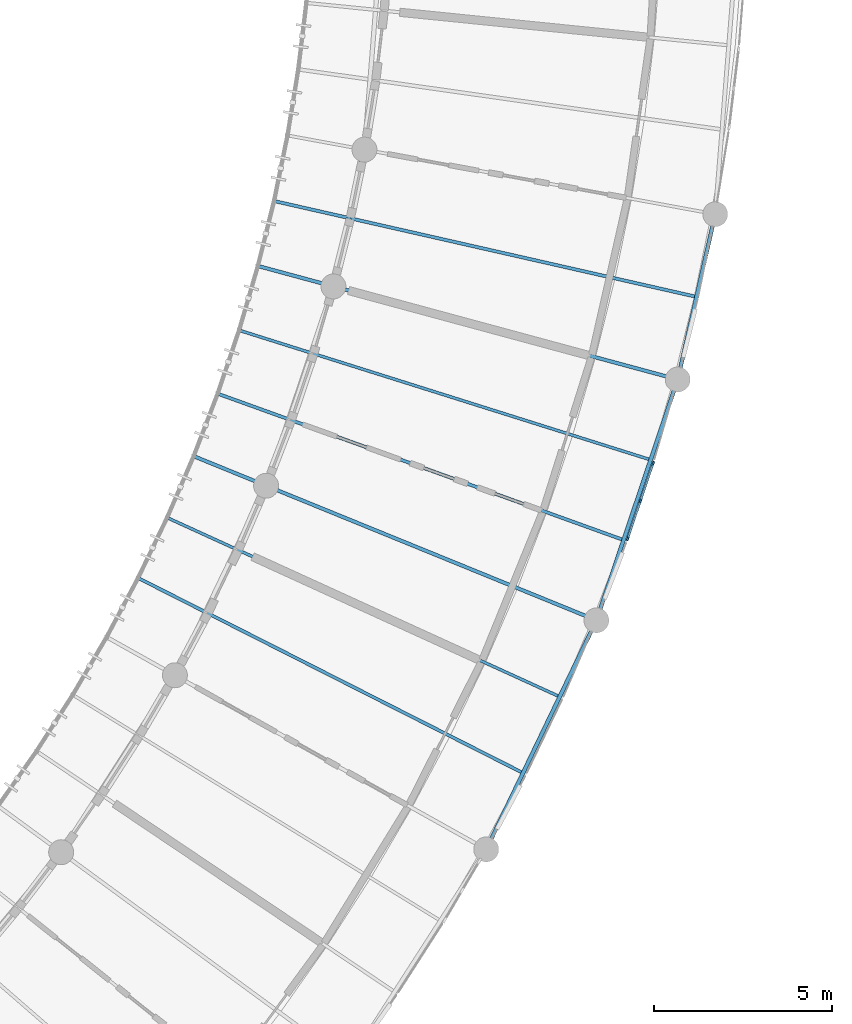
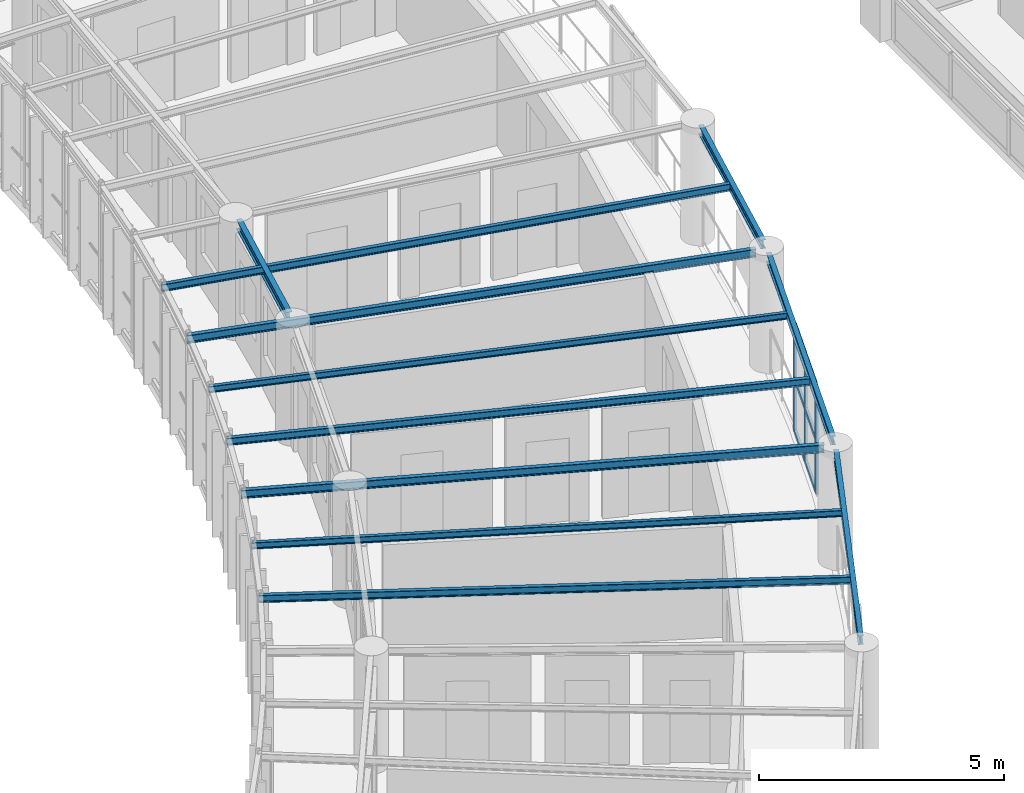
# One storey, part 27 of 137: 11 beams, 9 members, 1 element without a shape of its own.
"""IFC4 building model written with IfcOpenShell, lengths in metres."""

from ifc_helpers import new_model, si_unit, direction, frame, origin, origin_2d, place, context, subcontext, project, spatial, rectangle, i_section, extrude, material, layer, layer_set, material_profile, profile_set, type_object, element, aggregate, save


model = new_model("IFC4")

# Units and contexts
model_context = context("Model", 3, precision=1e-05, world=origin(), true_north=direction((0.0, 1.0)))
body_context = subcontext(model_context, "Body", "Model", "MODEL_VIEW")
ifc_project = project(units=[si_unit("LENGTHUNIT", "METRE"), si_unit("AREAUNIT", "SQUARE_METRE"), si_unit("VOLUMEUNIT", "CUBIC_METRE"), si_unit("PLANEANGLEUNIT", "RADIAN"), si_unit("MASSUNIT", "GRAM", prefix="KILO"), si_unit("POWERUNIT", "WATT"), si_unit("THERMODYNAMICTEMPERATUREUNIT", "KELVIN")], contexts=[model_context])

# Site, building, storey
site_placement = place(None, origin())
site = spatial("IfcSite", under=ifc_project, at=site_placement, CompositionType="ELEMENT")
building_placement = place(site_placement, origin())
building = spatial("IfcBuilding", under=site, at=building_placement, Name="Ruvembo Vaulted Housing Court", CompositionType="ELEMENT")
storey_placement = place(building_placement, frame((0.0, 0.0, 4.5)))
storey = spatial("IfcBuildingStorey", under=building, at=storey_placement, Name="L01", CompositionType="ELEMENT", Elevation=4.5)

# Beams
ifc_material_1 = material(Name="Steel S355J2", Category="steel")
ifc_material_profile_1 = material_profile(ifc_material_1, i_section(OverallWidth=0.08203125, OverallDepth=0.159912109375, WebThickness=0.0048828125, FlangeThickness=0.00732421875, FilletRadius=0.009033203125, at=origin_2d()), Name="IPE 160")
ifc_profile_set_1 = profile_set([ifc_material_profile_1], Name="Steel S355J2")
beam_type_1 = type_object("IfcBeamType", Name="BM-ST-IPE160", PredefinedType="JOIST", material=ifc_profile_set_1)
for number, where, z_axis, x_axis, name in (
    (1, (54.634521484375, 49.989013671875, 2.860107421875), (-0.909807680255, 0.415030101256, 0.0), (-0.415030101256, -0.909807680255, 0.0), "Scoop SC1 L01 Radial Steel Joist 8"),
    (2, (57.181640625, 56.62451171875, 2.860107421875), (-0.953840147825, 0.300314788843, 0.0), (-0.300314788843, -0.953840147825, 0.0), "Scoop SC1 L01 Radial Steel Joist 11"),
):
    element("IfcBeam", number, at=place(storey_placement, frame(where, z_axis=z_axis, x_axis=x_axis)), inside=storey, type_object=beam_type_1, Name=name, PredefinedType="JOIST", context=body_context, shape_type="SweptSolid", body=[
        extrude(i_section(OverallWidth=0.08203125, OverallDepth=0.159912109375, WebThickness=0.0048828125, FlangeThickness=0.00732421875, FilletRadius=0.009033203125, at=origin_2d()), origin(), (0.0, 0.0, 1.0), 12.092529296875),
    ])
ifc_material_profile_2 = material_profile(ifc_material_1, i_section(OverallWidth=0.091064453125, OverallDepth=0.179931640625, WebThickness=0.00537109375, FlangeThickness=0.008056640625, FilletRadius=0.009033203125, at=origin_2d()), Name="IPE 180")
ifc_profile_set_2 = profile_set([ifc_material_profile_2], Name="Steel S355J2")
beam_type_2 = type_object("IfcBeamType", Name="BM-ST-IPE180", PredefinedType="JOIST", material=ifc_profile_set_2)
for number, where, z_axis, x_axis, name in (
    (3, (53.606689453125, 47.852783203125, 2.85009765625), (-0.892032194584, 0.451971861763, 0.0), (-0.451971861763, -0.892032194584, 0.0), "Scoop SC1 L01 Radial Steel Joist 7"),
    (4, (56.423583984375, 54.37841796875, 2.85009765625), (-0.940730058754, 0.339156242102, 0.0), (-0.339156242102, -0.940730058754, 0.0), "Scoop SC1 L01 Radial Steel Joist 10"),
):
    element("IfcBeam", number, at=place(storey_placement, frame(where, z_axis=z_axis, x_axis=x_axis)), inside=storey, type_object=beam_type_2, Name=name, PredefinedType="JOIST", context=body_context, shape_type="SweptSolid", body=[
        extrude(i_section(OverallWidth=0.091064453125, OverallDepth=0.179931640625, WebThickness=0.00537109375, FlangeThickness=0.008056640625, FilletRadius=0.009033203125, at=origin_2d()), origin(), (0.0, 0.0, 1.0), 12.0927734375),
    ])
beam_1_placement = place(storey_placement, frame((58.46630859375, 61.189208984375, 2.85009765625), z_axis=(-0.975216538184, 0.221252578862, 0.0), x_axis=(-0.221252578862, -0.975216538184, 0.0)))
element("IfcBeam", 5, at=beam_1_placement, inside=storey, type_object=beam_type_2, Name="Scoop SC1 L01 Radial Steel Joist 13", PredefinedType="JOIST", context=body_context, shape_type="SweptSolid", body=[
    extrude(i_section(OverallWidth=0.091064453125, OverallDepth=0.179931640625, WebThickness=0.00537109375, FlangeThickness=0.008056640625, FilletRadius=0.009033203125, at=origin_2d()), origin(), (0.0, 0.0, 1.0), 12.14111328125),
])
ifc_material_profile_3 = material_profile(ifc_material_1, i_section(OverallWidth=0.10009765625, OverallDepth=0.199951171875, WebThickness=0.005615234375, FlangeThickness=0.008544921875, FilletRadius=0.011962890625, at=origin_2d()), Name="IPE 200")
ifc_profile_set_3 = profile_set([ifc_material_profile_3], Name="Steel S355J2")
beam_type_3 = type_object("IfcBeamType", Name="BM-ST-IPE200", PredefinedType="BEAM", material=ifc_profile_set_3)
beam_2_placement = place(storey_placement, frame((55.49755859375, 52.196533203125, 2.840087890625), z_axis=(-0.926045789451, 0.377411176094, 0.0), x_axis=(-0.377411176094, -0.926045789451, 0.0)))
element("IfcBeam", 6, at=beam_2_placement, inside=storey, type_object=beam_type_3, Name="Scoop SC1 L01 Radial Steel Joist 9", PredefinedType="BEAM", context=body_context, shape_type="SweptSolid", body=[
    extrude(i_section(OverallWidth=0.10009765625, OverallDepth=0.199951171875, WebThickness=0.005615234375, FlangeThickness=0.008544921875, FilletRadius=0.011962890625, at=origin_2d()), origin(), (0.0, 0.0, 1.0), 12.010009765625),
])
beam_3_placement = place(storey_placement, frame((57.767333984375, 58.9208984375, 2.840087890625), z_axis=(-0.965330589563, 0.261030367684, 0.0), x_axis=(-0.261030367684, -0.965330589563, 0.0)))
element("IfcBeam", 7, at=beam_3_placement, inside=storey, type_object=beam_type_3, Name="Scoop SC1 L01 Radial Steel Joist 12", PredefinedType="BEAM", context=body_context, shape_type="SweptSolid", body=[
    extrude(i_section(OverallWidth=0.10009765625, OverallDepth=0.199951171875, WebThickness=0.005615234375, FlangeThickness=0.008544921875, FilletRadius=0.011962890625, at=origin_2d()), origin(), (0.0, 0.0, 1.0), 12.01025390625),
])
ifc_material_profile_4 = material_profile(ifc_material_1, i_section(OverallWidth=0.110107421875, OverallDepth=0.219970703125, WebThickness=0.005859375, FlangeThickness=0.00927734375, FilletRadius=0.011962890625, at=origin_2d()), Name="IPE 220")
ifc_profile_set_4 = profile_set([ifc_material_profile_4], Name="Steel S355J2")
beam_type_4 = type_object("IfcBeamType", Name="BM-ST-IPE220", PredefinedType="SPANDREL", material=ifc_profile_set_4)
for number, where, z_axis, x_axis, name in (
    (8, (52.720703125, 45.89599609375, 2.83203125), (0.433595351861, 0.901107691036, 0.0), (-0.901107691036, 0.433595351861, 0.0), "Scoop SC1 L01 Chord Girder B6"),
    (9, (55.7841796875, 52.32763671875, 2.83203125), (0.319796729332, 0.947486175049, 0.0), (-0.947486175049, 0.319796729332, 0.0), "Scoop SC1 L01 Chord Girder B9"),
):
    element("IfcBeam", number, at=place(storey_placement, frame(where, z_axis=z_axis, x_axis=x_axis)), inside=storey, type_object=beam_type_4, Name=name, PredefinedType="SPANDREL", context=body_context, shape_type="SweptSolid", body=[
        extrude(i_section(OverallWidth=0.110107421875, OverallDepth=0.219970703125, WebThickness=0.005859375, FlangeThickness=0.00927734375, FilletRadius=0.011962890625, at=origin_2d()), origin(), (0.0, 0.0, 1.0), 6.66552734375),
    ])
beam_4_placement = place(storey_placement, frame((58.040283203125, 59.085205078125, 2.83203125), z_axis=(0.221264608711, 0.97521380883, 0.0), x_axis=(-0.97521380883, 0.221264608711, 0.0)))
element("IfcBeam", 10, at=beam_4_placement, inside=storey, type_object=beam_type_4, Name="Scoop SC1 L01 Chord Girder B12", PredefinedType="SPANDREL", context=body_context, shape_type="SweptSolid", body=[
    extrude(i_section(OverallWidth=0.110107421875, OverallDepth=0.219970703125, WebThickness=0.005859375, FlangeThickness=0.00927734375, FilletRadius=0.011962890625, at=origin_2d()), origin(), (0.0, 0.0, 1.0), 4.292236328125),
])
ifc_material_profile_5 = material_profile(ifc_material_1, i_section(OverallWidth=0.1201171875, OverallDepth=0.239990234375, WebThickness=0.006103515625, FlangeThickness=0.009765625, FilletRadius=0.014892578125, at=origin_2d()), Name="IPE 240")
ifc_profile_set_5 = profile_set([ifc_material_profile_5], Name="Steel S355J2")
beam_type_5 = type_object("IfcBeamType", Name="BM-ST-IPE240", PredefinedType="BEAM", material=ifc_profile_set_5)
beam_5_placement = place(storey_placement, frame((48.386962890625, 61.695556640625, 2.822021484375), z_axis=(0.221253396434, 0.975216352696, 0.0), x_axis=(-0.975216352696, 0.221253396434, 0.0)))
element("IfcBeam", 11, at=beam_5_placement, inside=storey, type_object=beam_type_5, Name="Scoop SC1 L01 Chord Girder F12", PredefinedType="BEAM", context=body_context, shape_type="SweptSolid", body=[
    extrude(i_section(OverallWidth=0.1201171875, OverallDepth=0.239990234375, WebThickness=0.006103515625, FlangeThickness=0.009765625, FilletRadius=0.014892578125, at=origin_2d()), origin(), (0.0, 0.0, 1.0), 3.47265625),
])

# Curtain wall, members
ifc_material_2 = material(Name="Anodised Aluminium and Solar-Control Glass", Category="aluminium")
ifc_layer = layer(ifc_material_2, 0.139892578125, Name="Anodised Aluminium and Solar-Control Glass")
ifc_layer_set = layer_set([ifc_layer], Name="Anodised Aluminium and Solar-Control Glass")
curtain_wall_type = type_object("IfcCurtainWallType", Name="CW-SCOOP-PAN", PredefinedType="NOTDEFINED", material=ifc_layer_set)
curtain_wall_placement = place(storey_placement, origin())
curtain_wall = element("IfcCurtainWall", 12, at=curtain_wall_placement, inside=storey, type_object=curtain_wall_type, Name="L01 Curtain Wall CW-L01-0011", PredefinedType="NOTDEFINED")
ifc_material_3 = material(Name="Anodised Aluminium 6063-T6", Category="aluminium")
ifc_material_profile_6 = material_profile(ifc_material_3, rectangle(XDim=0.054931640625, YDim=0.1201171875, at=origin_2d()), Name="ALU 55x120")
ifc_profile_set_6 = profile_set([ifc_material_profile_6], Name="Anodised Aluminium 6063-T6")
member_type_1 = type_object("IfcMemberType", Name="CW-MUL-55x120", PredefinedType="MULLION", material=ifc_profile_set_6)
member_1_placement = place(storey_placement, frame((56.5869140625, 54.40185546875, 0.0), z_axis=(0.0, 0.0, 1.0), x_axis=(-0.947472812083, 0.31983631808, 0.0)))
member_1 = element("IfcMember", 13, at=member_1_placement, type_object=member_type_1, Name="CW10 mullion 1", PredefinedType="MULLION", context=body_context, shape_type="SweptSolid", body=[
    extrude(rectangle(XDim=0.054931640625, YDim=0.1201171875, at=origin_2d()), origin(), (0.0, 0.0, 1.0), 2.697998046875),
])
member_2_placement = place(storey_placement, frame((56.942138671875, 55.454345703125, 0.0), z_axis=(0.0, 0.0, 1.0), x_axis=(-0.947472812083, 0.31983631808, 0.0)))
member_2 = element("IfcMember", 14, at=member_2_placement, type_object=member_type_1, Name="CW10 mullion 2", PredefinedType="MULLION", context=body_context, shape_type="SweptSolid", body=[
    extrude(rectangle(XDim=0.054931640625, YDim=0.1201171875, at=origin_2d()), origin(), (0.0, 0.0, 1.0), 2.697998046875),
])
member_3_placement = place(storey_placement, frame((57.29736328125, 56.506591796875, 0.0), z_axis=(0.0, 0.0, 1.0), x_axis=(-0.947472812083, 0.31983631808, 0.0)))
member_3 = element("IfcMember", 15, at=member_3_placement, type_object=member_type_1, Name="CW10 mullion 3", PredefinedType="MULLION", context=body_context, shape_type="SweptSolid", body=[
    extrude(rectangle(XDim=0.054931640625, YDim=0.1201171875, at=origin_2d()), origin(), (0.0, 0.0, 1.0), 2.697998046875),
])
ifc_material_profile_7 = material_profile(ifc_material_3, rectangle(XDim=0.06005859375, YDim=0.10009765625, at=origin_2d()), Name="ALU 60x100")
ifc_profile_set_7 = profile_set([ifc_material_profile_7], Name="Anodised Aluminium 6063-T6")
member_type_2 = type_object("IfcMemberType", Name="CW-TRN-60x100", PredefinedType="USERDEFINED", material=ifc_profile_set_7)
member_4_placement = place(storey_placement, frame((56.595703125, 54.427978515625, 0.030029296875), z_axis=(0.319833141803, 0.947473884286, 0.0), x_axis=(-0.947473884286, 0.319833141803, 0.0)))
member_4 = element("IfcMember", 16, at=member_4_placement, type_object=member_type_2, Name="CW10 transom 1.1", ObjectType="TRANSOM", PredefinedType="USERDEFINED", context=body_context, shape_type="SweptSolid", body=[
    extrude(rectangle(XDim=0.06005859375, YDim=0.10009765625, at=origin_2d()), origin(), (0.0, 0.0, 1.0), 1.0556640625),
])
member_5_placement = place(storey_placement, frame((56.595703125, 54.427978515625, 1.34912109375), z_axis=(0.319833141803, 0.947473884286, 0.0), x_axis=(-0.947473884286, 0.319833141803, 0.0)))
member_5 = element("IfcMember", 17, at=member_5_placement, type_object=member_type_2, Name="CW10 transom 1.2", ObjectType="TRANSOM", PredefinedType="USERDEFINED", context=body_context, shape_type="SweptSolid", body=[
    extrude(rectangle(XDim=0.06005859375, YDim=0.10009765625, at=origin_2d()), origin(), (0.0, 0.0, 1.0), 1.0556640625),
])
member_6_placement = place(storey_placement, frame((56.595703125, 54.427978515625, 2.66796875), z_axis=(0.319833141803, 0.947473884286, 0.0), x_axis=(-0.947473884286, 0.319833141803, 0.0)))
member_6 = element("IfcMember", 18, at=member_6_placement, type_object=member_type_2, Name="CW10 transom 1.3", ObjectType="TRANSOM", PredefinedType="USERDEFINED", context=body_context, shape_type="SweptSolid", body=[
    extrude(rectangle(XDim=0.06005859375, YDim=0.10009765625, at=origin_2d()), origin(), (0.0, 0.0, 1.0), 1.0556640625),
])
member_7_placement = place(storey_placement, frame((56.950927734375, 55.480224609375, 0.030029296875), z_axis=(0.319833141803, 0.947473884286, 0.0), x_axis=(-0.947473884286, 0.319833141803, 0.0)))
member_7 = element("IfcMember", 19, at=member_7_placement, type_object=member_type_2, Name="CW10 transom 2.1", ObjectType="TRANSOM", PredefinedType="USERDEFINED", context=body_context, shape_type="SweptSolid", body=[
    extrude(rectangle(XDim=0.06005859375, YDim=0.10009765625, at=origin_2d()), origin(), (0.0, 0.0, 1.0), 1.0556640625),
])
member_8_placement = place(storey_placement, frame((56.950927734375, 55.480224609375, 1.34912109375), z_axis=(0.319833141803, 0.947473884286, 0.0), x_axis=(-0.947473884286, 0.319833141803, 0.0)))
member_8 = element("IfcMember", 20, at=member_8_placement, type_object=member_type_2, Name="CW10 transom 2.2", ObjectType="TRANSOM", PredefinedType="USERDEFINED", context=body_context, shape_type="SweptSolid", body=[
    extrude(rectangle(XDim=0.06005859375, YDim=0.10009765625, at=origin_2d()), origin(), (0.0, 0.0, 1.0), 1.0556640625),
])
member_9_placement = place(storey_placement, frame((56.950927734375, 55.480224609375, 2.66796875), z_axis=(0.319833141803, 0.947473884286, 0.0), x_axis=(-0.947473884286, 0.319833141803, 0.0)))
member_9 = element("IfcMember", 21, at=member_9_placement, type_object=member_type_2, Name="CW10 transom 2.3", ObjectType="TRANSOM", PredefinedType="USERDEFINED", context=body_context, shape_type="SweptSolid", body=[
    extrude(rectangle(XDim=0.06005859375, YDim=0.10009765625, at=origin_2d()), origin(), (0.0, 0.0, 1.0), 1.0556640625),
])
aggregate(curtain_wall, [member_1, member_2, member_3, member_4, member_5, member_6, member_7, member_8, member_9])

save(model, "model.ifc")
